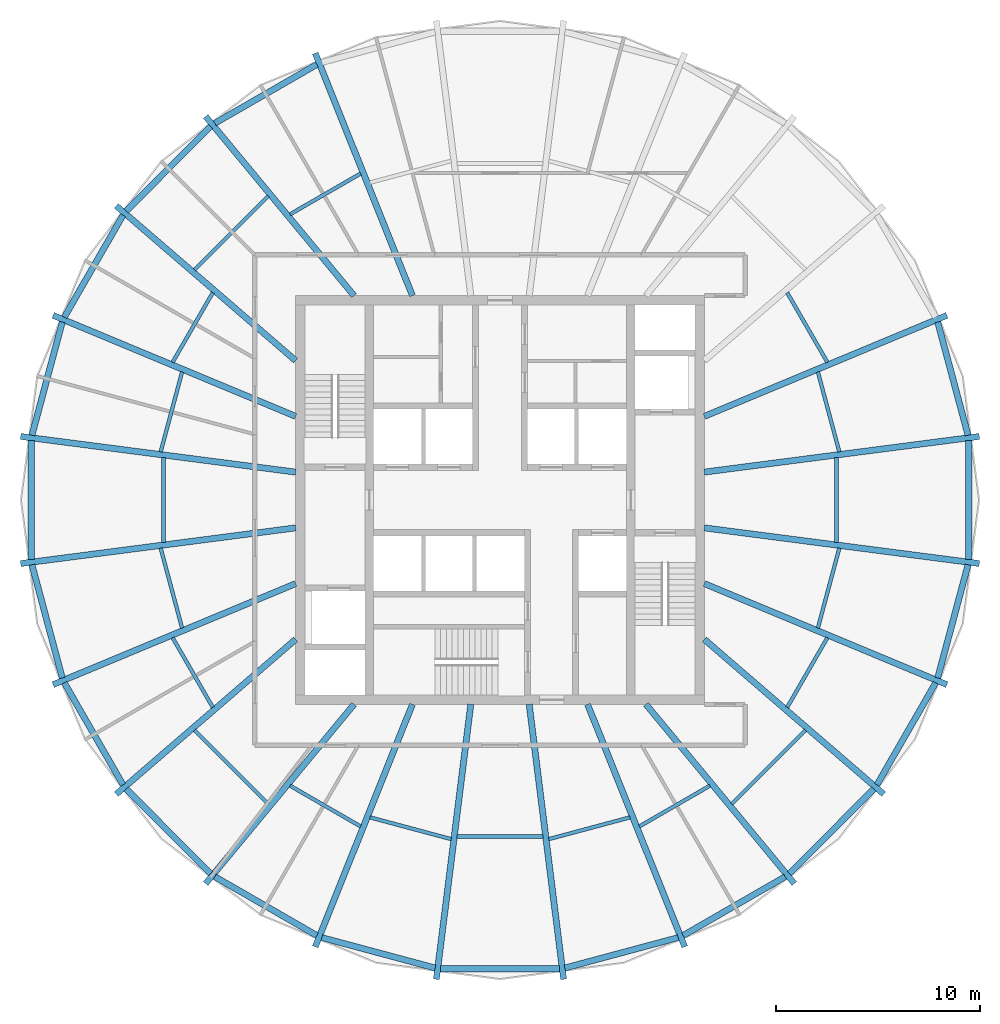
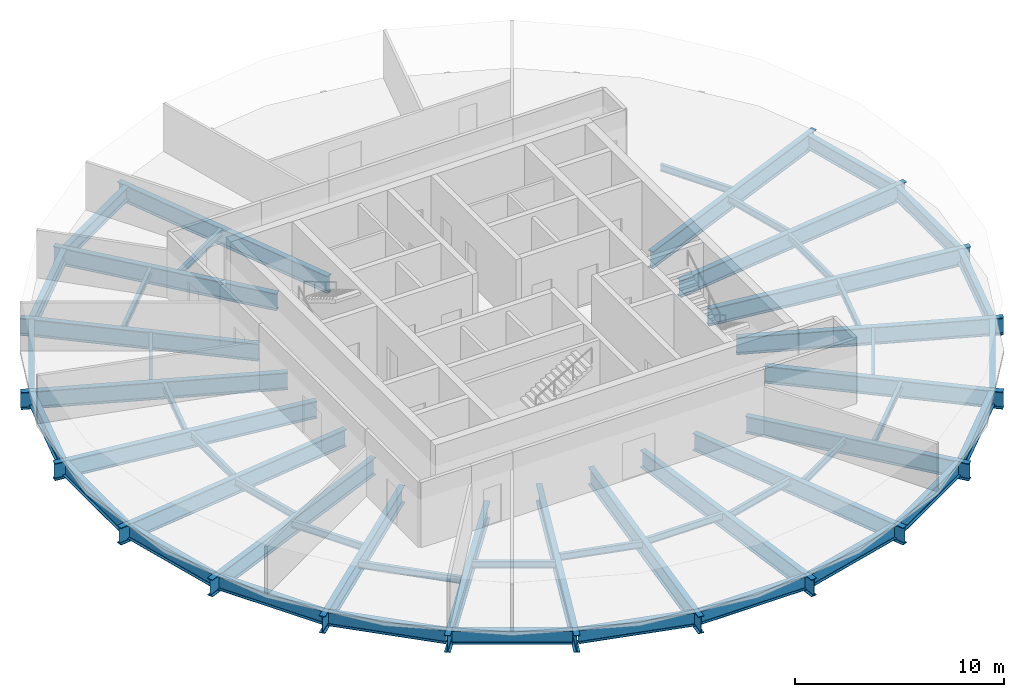
# One storey, part 1 of 5: 56 beams.
"""IFC4 building model written with IfcOpenShell, lengths in metres."""

from ifc_helpers import new_model, si_unit, direction, frame, origin, origin_2d, place, context, subcontext, project, spatial, i_section, extrude, material, material_profile, profile_set, type_object, element, save


model = new_model("IFC4")

# Units and contexts
model_context = context("Model", 3, precision=1e-05, world=origin(), true_north=direction((0.0, 1.0)))
body_context = subcontext(model_context, "Body", "Model", "MODEL_VIEW")
ifc_project = project(units=[si_unit("LENGTHUNIT", "METRE"), si_unit("AREAUNIT", "SQUARE_METRE"), si_unit("VOLUMEUNIT", "CUBIC_METRE"), si_unit("PLANEANGLEUNIT", "RADIAN"), si_unit("MASSUNIT", "GRAM", prefix="KILO")], contexts=[model_context])

# Site, building, storey
site_placement = place(None, origin())
site = spatial("IfcSite", under=ifc_project, at=site_placement, CompositionType="ELEMENT")
building_placement = place(site_placement, origin())
building = spatial("IfcBuilding", under=site, at=building_placement, Name="Golbaran Civic Tower", CompositionType="ELEMENT")
storey_placement = place(building_placement, frame((0.0, 0.0, 207.0)))
storey = spatial("IfcBuildingStorey", under=building, at=storey_placement, Name="L50", CompositionType="ELEMENT", Elevation=207.0)

# Beams
ifc_material = material(Name="Steel S355", Category="steel")
ifc_material_profile_1 = material_profile(ifc_material, i_section(OverallWidth=0.300048828125, OverallDepth=0.800048828125, WebThickness=0.017578125, FlangeThickness=0.032958984375, FilletRadius=0.030029296875, at=origin_2d()), Name="HEB 800")
ifc_profile_set_1 = profile_set([ifc_material_profile_1], Name="Steel S355")
beam_type_1 = type_object("IfcBeamType", Name="EDGE BEAM HEB 800", PredefinedType="BEAM", material=ifc_profile_set_1)
beam_1_placement = place(storey_placement, frame((22.900390625, 3.169189453125, -0.60009765625), z_axis=(-0.258807764913, 0.965928848736, 0.0), x_axis=(-0.965928848736, -0.258807764913, 0.0)))
element("IfcBeam", 1, at=beam_1_placement, inside=storey, type_object=beam_type_1, Name="Edge beam 7.55 L50", PredefinedType="BEAM", context=body_context, shape_type="SweptSolid", body=[
    extrude(i_section(OverallWidth=0.300048828125, OverallDepth=0.800048828125, WebThickness=0.017578125, FlangeThickness=0.032958984375, FilletRadius=0.030029296875, at=origin_2d()), origin(), (0.0, 0.0, 1.0), 5.731689453125),
])
beam_2_placement = place(storey_placement, frame((-8.959228515625, 21.31201171875, -0.60009765625), z_axis=(-0.866332159636, -0.499468306482, 0.0), x_axis=(0.499468306482, -0.866332159636, 0.0)))
element("IfcBeam", 2, at=beam_2_placement, inside=storey, type_object=beam_type_1, Name="Edge beam 112.45 L50", PredefinedType="BEAM", context=body_context, shape_type="SweptSolid", body=[
    extrude(i_section(OverallWidth=0.300048828125, OverallDepth=0.800048828125, WebThickness=0.017578125, FlangeThickness=0.032958984375, FilletRadius=0.030029296875, at=origin_2d()), origin(), (0.0, 0.0, 1.0), 5.766357421875),
])
beam_3_placement = place(storey_placement, frame((-14.161376953125, 18.2734375, -0.60009765625), z_axis=(-0.706772115547, -0.707441288507, 0.0), x_axis=(0.707441288507, -0.706772115547, 0.0)))
element("IfcBeam", 3, at=beam_3_placement, inside=storey, type_object=beam_type_1, Name="Edge beam 127.55 L50", PredefinedType="BEAM", context=body_context, shape_type="SweptSolid", body=[
    extrude(i_section(OverallWidth=0.300048828125, OverallDepth=0.800048828125, WebThickness=0.017578125, FlangeThickness=0.032958984375, FilletRadius=0.030029296875, at=origin_2d()), origin(), (0.0, 0.0, 1.0), 5.83740234375),
])
beam_4_placement = place(storey_placement, frame((-18.4453125, 13.93701171875, -0.60009765625), z_axis=(-0.498780145808, -0.866728542363, 0.0), x_axis=(0.866728542363, -0.498780145808, 0.0)))
element("IfcBeam", 4, at=beam_4_placement, inside=storey, type_object=beam_type_1, Name="Edge beam 142.45 L50", PredefinedType="BEAM", context=body_context, shape_type="SweptSolid", body=[
    extrude(i_section(OverallWidth=0.300048828125, OverallDepth=0.800048828125, WebThickness=0.017578125, FlangeThickness=0.032958984375, FilletRadius=0.030029296875, at=origin_2d()), origin(), (0.0, 0.0, 1.0), 5.7587890625),
])
beam_5_placement = place(storey_placement, frame((-21.4169921875, 8.70556640625, -0.60009765625), z_axis=(-0.258807764913, -0.965928848736, 0.0), x_axis=(0.965928848736, -0.258807764913, 0.0)))
element("IfcBeam", 5, at=beam_5_placement, inside=storey, type_object=beam_type_1, Name="Edge beam 157.55 L50", PredefinedType="BEAM", context=body_context, shape_type="SweptSolid", body=[
    extrude(i_section(OverallWidth=0.300048828125, OverallDepth=0.800048828125, WebThickness=0.017578125, FlangeThickness=0.032958984375, FilletRadius=0.030029296875, at=origin_2d()), origin(), (0.0, 0.0, 1.0), 5.731689453125),
])
beam_6_placement = place(storey_placement, frame((-22.934326171875, 2.91162109375, -0.60009765625), z_axis=(0.0, -1.0, 0.0), x_axis=(1.0, 0.0, 0.0)))
element("IfcBeam", 6, at=beam_6_placement, inside=storey, type_object=beam_type_1, Name="Edge beam 172.45 L50", PredefinedType="BEAM", context=body_context, shape_type="SweptSolid", body=[
    extrude(i_section(OverallWidth=0.300048828125, OverallDepth=0.800048828125, WebThickness=0.017578125, FlangeThickness=0.032958984375, FilletRadius=0.030029296875, at=origin_2d()), origin(), (0.0, 0.0, 1.0), 5.8232421875),
])
beam_7_placement = place(storey_placement, frame((-22.900390625, -3.169189453125, -0.60009765625), z_axis=(0.258807764913, -0.965928848736, 0.0), x_axis=(0.965928848736, 0.258807764913, 0.0)))
element("IfcBeam", 7, at=beam_7_placement, inside=storey, type_object=beam_type_1, Name="Edge beam 187.55 L50", PredefinedType="BEAM", context=body_context, shape_type="SweptSolid", body=[
    extrude(i_section(OverallWidth=0.300048828125, OverallDepth=0.800048828125, WebThickness=0.017578125, FlangeThickness=0.032958984375, FilletRadius=0.030029296875, at=origin_2d()), origin(), (0.0, 0.0, 1.0), 5.731689453125),
])
beam_8_placement = place(storey_placement, frame((-21.317626953125, -8.94580078125, -0.60009765625), z_axis=(0.498780145808, -0.866728542363, 0.0), x_axis=(0.866728542363, 0.498780145808, 0.0)))
element("IfcBeam", 8, at=beam_8_placement, inside=storey, type_object=beam_type_1, Name="Edge beam 202.45 L50", PredefinedType="BEAM", context=body_context, shape_type="SweptSolid", body=[
    extrude(i_section(OverallWidth=0.300048828125, OverallDepth=0.800048828125, WebThickness=0.017578125, FlangeThickness=0.032958984375, FilletRadius=0.030029296875, at=origin_2d()), origin(), (0.0, 0.0, 1.0), 5.7587890625),
])
beam_9_placement = place(storey_placement, frame((-18.287109375, -14.143798828125, -0.60009765625), z_axis=(0.706772115547, -0.707441288507, 0.0), x_axis=(0.707441288507, 0.706772115547, 0.0)))
element("IfcBeam", 9, at=beam_9_placement, inside=storey, type_object=beam_type_1, Name="Edge beam 217.55 L50", PredefinedType="BEAM", context=body_context, shape_type="SweptSolid", body=[
    extrude(i_section(OverallWidth=0.300048828125, OverallDepth=0.800048828125, WebThickness=0.017578125, FlangeThickness=0.032958984375, FilletRadius=0.030029296875, at=origin_2d()), origin(), (0.0, 0.0, 1.0), 5.83740234375),
])
beam_10_placement = place(storey_placement, frame((-13.954833984375, -18.431884765625, -0.60009765625), z_axis=(0.866332159636, -0.499468306482, 0.0), x_axis=(0.499468306482, 0.866332159636, 0.0)))
element("IfcBeam", 10, at=beam_10_placement, inside=storey, type_object=beam_type_1, Name="Edge beam 232.45 L50", PredefinedType="BEAM", context=body_context, shape_type="SweptSolid", body=[
    extrude(i_section(OverallWidth=0.300048828125, OverallDepth=0.800048828125, WebThickness=0.017578125, FlangeThickness=0.032958984375, FilletRadius=0.030029296875, at=origin_2d()), origin(), (0.0, 0.0, 1.0), 5.766357421875),
])
beam_11_placement = place(storey_placement, frame((-8.718994140625, -21.41162109375, -0.60009765625), z_axis=(0.965815835324, -0.259229188629, 0.0), x_axis=(0.259229188629, 0.965815835324, 0.0)))
element("IfcBeam", 11, at=beam_11_placement, inside=storey, type_object=beam_type_1, Name="Edge beam 247.55 L50", PredefinedType="BEAM", context=body_context, shape_type="SweptSolid", body=[
    extrude(i_section(OverallWidth=0.300048828125, OverallDepth=0.800048828125, WebThickness=0.017578125, FlangeThickness=0.032958984375, FilletRadius=0.030029296875, at=origin_2d()), origin(), (0.0, 0.0, 1.0), 5.7412109375),
])
beam_12_placement = place(storey_placement, frame((-2.91650390625, -22.933837890625, -0.60009765625), z_axis=(1.0, 0.0, 0.0), x_axis=(0.0, 1.0, 0.0)))
element("IfcBeam", 12, at=beam_12_placement, inside=storey, type_object=beam_type_1, Name="Edge beam 262.45 L50", PredefinedType="BEAM", context=body_context, shape_type="SweptSolid", body=[
    extrude(i_section(OverallWidth=0.300048828125, OverallDepth=0.800048828125, WebThickness=0.017578125, FlangeThickness=0.032958984375, FilletRadius=0.030029296875, at=origin_2d()), origin(), (0.0, 0.0, 1.0), 5.8330078125),
])
beam_13_placement = place(storey_placement, frame((3.174072265625, -22.89990234375, -0.60009765625), z_axis=(0.965815835324, 0.259229188629, 0.0), x_axis=(-0.259229188629, 0.965815835324, 0.0)))
element("IfcBeam", 13, at=beam_13_placement, inside=storey, type_object=beam_type_1, Name="Edge beam 277.55 L50", PredefinedType="BEAM", context=body_context, shape_type="SweptSolid", body=[
    extrude(i_section(OverallWidth=0.300048828125, OverallDepth=0.800048828125, WebThickness=0.017578125, FlangeThickness=0.032958984375, FilletRadius=0.030029296875, at=origin_2d()), origin(), (0.0, 0.0, 1.0), 5.7412109375),
])
beam_14_placement = place(storey_placement, frame((8.959228515625, -21.31201171875, -0.60009765625), z_axis=(0.866332159636, 0.499468306482, 0.0), x_axis=(-0.499468306482, 0.866332159636, 0.0)))
element("IfcBeam", 14, at=beam_14_placement, inside=storey, type_object=beam_type_1, Name="Edge beam 292.45 L50", PredefinedType="BEAM", context=body_context, shape_type="SweptSolid", body=[
    extrude(i_section(OverallWidth=0.300048828125, OverallDepth=0.800048828125, WebThickness=0.017578125, FlangeThickness=0.032958984375, FilletRadius=0.030029296875, at=origin_2d()), origin(), (0.0, 0.0, 1.0), 5.766357421875),
])
beam_15_placement = place(storey_placement, frame((14.161376953125, -18.2734375, -0.60009765625), z_axis=(0.706772115547, 0.707441288507, 0.0), x_axis=(-0.707441288507, 0.706772115547, 0.0)))
element("IfcBeam", 15, at=beam_15_placement, inside=storey, type_object=beam_type_1, Name="Edge beam 307.55 L50", PredefinedType="BEAM", context=body_context, shape_type="SweptSolid", body=[
    extrude(i_section(OverallWidth=0.300048828125, OverallDepth=0.800048828125, WebThickness=0.017578125, FlangeThickness=0.032958984375, FilletRadius=0.030029296875, at=origin_2d()), origin(), (0.0, 0.0, 1.0), 5.83740234375),
])
beam_16_placement = place(storey_placement, frame((18.4453125, -13.93701171875, -0.60009765625), z_axis=(0.498780145808, 0.866728542363, 0.0), x_axis=(-0.866728542363, 0.498780145808, 0.0)))
element("IfcBeam", 16, at=beam_16_placement, inside=storey, type_object=beam_type_1, Name="Edge beam 322.45 L50", PredefinedType="BEAM", context=body_context, shape_type="SweptSolid", body=[
    extrude(i_section(OverallWidth=0.300048828125, OverallDepth=0.800048828125, WebThickness=0.017578125, FlangeThickness=0.032958984375, FilletRadius=0.030029296875, at=origin_2d()), origin(), (0.0, 0.0, 1.0), 5.7587890625),
])
beam_17_placement = place(storey_placement, frame((21.4169921875, -8.70556640625, -0.60009765625), z_axis=(0.258807764913, 0.965928848736, 0.0), x_axis=(-0.965928848736, 0.258807764913, 0.0)))
element("IfcBeam", 17, at=beam_17_placement, inside=storey, type_object=beam_type_1, Name="Edge beam 337.55 L50", PredefinedType="BEAM", context=body_context, shape_type="SweptSolid", body=[
    extrude(i_section(OverallWidth=0.300048828125, OverallDepth=0.800048828125, WebThickness=0.017578125, FlangeThickness=0.032958984375, FilletRadius=0.030029296875, at=origin_2d()), origin(), (0.0, 0.0, 1.0), 5.731689453125),
])
beam_18_placement = place(storey_placement, frame((22.934326171875, -2.91162109375, -0.60009765625), z_axis=(0.0, 1.0, 0.0), x_axis=(-1.0, 0.0, 0.0)))
element("IfcBeam", 18, at=beam_18_placement, inside=storey, type_object=beam_type_1, Name="Edge beam 352.45 L50", PredefinedType="BEAM", context=body_context, shape_type="SweptSolid", body=[
    extrude(i_section(OverallWidth=0.300048828125, OverallDepth=0.800048828125, WebThickness=0.017578125, FlangeThickness=0.032958984375, FilletRadius=0.030029296875, at=origin_2d()), origin(), (0.0, 0.0, 1.0), 5.8232421875),
])
ifc_material_profile_2 = material_profile(ifc_material, i_section(OverallWidth=0.179931640625, OverallDepth=0.39990234375, WebThickness=0.008544921875, FlangeThickness=0.013427734375, FilletRadius=0.02099609375, at=origin_2d()), Name="IPE 400")
ifc_profile_set_2 = profile_set([ifc_material_profile_2], Name="Steel S355")
beam_type_2 = type_object("IfcBeamType", Name="FLOOR INFILL BEAM IPE 400", PredefinedType="BEAM", material=ifc_profile_set_2)
beam_19_placement = place(storey_placement, frame((16.603515625, 2.352294921875, -0.39990234375), z_axis=(-0.258810398506, 0.965928143096, 0.0), x_axis=(-0.965928143096, -0.258810398506, 0.0)))
element("IfcBeam", 19, at=beam_19_placement, inside=storey, type_object=beam_type_2, Name="Infill beam 15.00 L50", PredefinedType="BEAM", context=body_context, shape_type="SweptSolid", body=[
    extrude(i_section(OverallWidth=0.179931640625, OverallDepth=0.39990234375, WebThickness=0.008544921875, FlangeThickness=0.013427734375, FilletRadius=0.02099609375, at=origin_2d()), origin(), (0.0, 0.0, 1.0), 4.050537109375),
])
beam_20_placement = place(storey_placement, frame((16.01904296875, 6.73974609375, -0.39990234375), z_axis=(-0.500010785354, 0.866019176768, 0.0), x_axis=(-0.866019176768, -0.500010785354, 0.0)))
element("IfcBeam", 20, at=beam_20_placement, inside=storey, type_object=beam_type_2, Name="Infill beam 30.00 L50", PredefinedType="BEAM", context=body_context, shape_type="SweptSolid", body=[
    extrude(i_section(OverallWidth=0.179931640625, OverallDepth=0.39990234375, WebThickness=0.008544921875, FlangeThickness=0.013427734375, FilletRadius=0.02099609375, at=origin_2d()), origin(), (0.0, 0.0, 1.0), 3.93359375),
])
beam_21_placement = place(storey_placement, frame((-6.819580078125, 15.97265625, -0.39990234375), z_axis=(-0.86602842894, -0.499994760241, 0.0), x_axis=(0.499994760241, -0.86602842894, 0.0)))
element("IfcBeam", 21, at=beam_21_placement, inside=storey, type_object=beam_type_2, Name="Infill beam 120.00 L50", PredefinedType="BEAM", context=body_context, shape_type="SweptSolid", body=[
    extrude(i_section(OverallWidth=0.179931640625, OverallDepth=0.39990234375, WebThickness=0.008544921875, FlangeThickness=0.013427734375, FilletRadius=0.02099609375, at=origin_2d()), origin(), (0.0, 0.0, 1.0), 3.98388671875),
])
beam_22_placement = place(storey_placement, frame((-11.344970703125, 14.87158203125, -0.39990234375), z_axis=(-0.707106781187, -0.707106781187, 0.0), x_axis=(0.707106781187, -0.707106781187, 0.0)))
element("IfcBeam", 22, at=beam_22_placement, inside=storey, type_object=beam_type_2, Name="Infill beam 135.00 L50", PredefinedType="BEAM", context=body_context, shape_type="SweptSolid", body=[
    extrude(i_section(OverallWidth=0.179931640625, OverallDepth=0.39990234375, WebThickness=0.008544921875, FlangeThickness=0.013427734375, FilletRadius=0.02099609375, at=origin_2d()), origin(), (0.0, 0.0, 1.0), 5.099853515625),
])
beam_23_placement = place(storey_placement, frame((-14.05224609375, 10.146240234375, -0.39990234375), z_axis=(-0.500010785354, -0.866019176768, 0.0), x_axis=(0.866019176768, -0.500010785354, 0.0)))
element("IfcBeam", 23, at=beam_23_placement, inside=storey, type_object=beam_type_2, Name="Infill beam 150.00 L50", PredefinedType="BEAM", context=body_context, shape_type="SweptSolid", body=[
    extrude(i_section(OverallWidth=0.179931640625, OverallDepth=0.39990234375, WebThickness=0.008544921875, FlangeThickness=0.013427734375, FilletRadius=0.02099609375, at=origin_2d()), origin(), (0.0, 0.0, 1.0), 3.93359375),
])
beam_24_placement = place(storey_placement, frame((-15.55517578125, 6.264892578125, -0.39990234375), z_axis=(-0.258810398506, -0.965928143096, 0.0), x_axis=(0.965928143096, -0.258810398506, 0.0)))
element("IfcBeam", 24, at=beam_24_placement, inside=storey, type_object=beam_type_2, Name="Infill beam 165.00 L50", PredefinedType="BEAM", context=body_context, shape_type="SweptSolid", body=[
    extrude(i_section(OverallWidth=0.179931640625, OverallDepth=0.39990234375, WebThickness=0.008544921875, FlangeThickness=0.013427734375, FilletRadius=0.02099609375, at=origin_2d()), origin(), (0.0, 0.0, 1.0), 4.050537109375),
])
beam_25_placement = place(storey_placement, frame((-16.46728515625, 2.072265625, -0.39990234375), z_axis=(0.0, -1.0, 0.0), x_axis=(1.0, 0.0, 0.0)))
element("IfcBeam", 25, at=beam_25_placement, inside=storey, type_object=beam_type_2, Name="Infill beam 180.00 L50", PredefinedType="BEAM", context=body_context, shape_type="SweptSolid", body=[
    extrude(i_section(OverallWidth=0.179931640625, OverallDepth=0.39990234375, WebThickness=0.008544921875, FlangeThickness=0.013427734375, FilletRadius=0.02099609375, at=origin_2d()), origin(), (0.0, 0.0, 1.0), 4.14453125),
])
beam_26_placement = place(storey_placement, frame((-16.603515625, -2.352294921875, -0.39990234375), z_axis=(0.258810398506, -0.965928143096, 0.0), x_axis=(0.965928143096, 0.258810398506, 0.0)))
element("IfcBeam", 26, at=beam_26_placement, inside=storey, type_object=beam_type_2, Name="Infill beam 195.00 L50", PredefinedType="BEAM", context=body_context, shape_type="SweptSolid", body=[
    extrude(i_section(OverallWidth=0.179931640625, OverallDepth=0.39990234375, WebThickness=0.008544921875, FlangeThickness=0.013427734375, FilletRadius=0.02099609375, at=origin_2d()), origin(), (0.0, 0.0, 1.0), 4.050537109375),
])
beam_27_placement = place(storey_placement, frame((-16.01904296875, -6.73974609375, -0.39990234375), z_axis=(0.500010785354, -0.866019176768, 0.0), x_axis=(0.866019176768, 0.500010785354, 0.0)))
element("IfcBeam", 27, at=beam_27_placement, inside=storey, type_object=beam_type_2, Name="Infill beam 210.00 L50", PredefinedType="BEAM", context=body_context, shape_type="SweptSolid", body=[
    extrude(i_section(OverallWidth=0.179931640625, OverallDepth=0.39990234375, WebThickness=0.008544921875, FlangeThickness=0.013427734375, FilletRadius=0.02099609375, at=origin_2d()), origin(), (0.0, 0.0, 1.0), 3.93359375),
])
beam_28_placement = place(storey_placement, frame((-14.951171875, -11.265380859375, -0.39990234375), z_axis=(0.707106781187, -0.707106781187, 0.0), x_axis=(0.707106781187, 0.707106781187, 0.0)))
element("IfcBeam", 28, at=beam_28_placement, inside=storey, type_object=beam_type_2, Name="Infill beam 225.00 L50", PredefinedType="BEAM", context=body_context, shape_type="SweptSolid", body=[
    extrude(i_section(OverallWidth=0.179931640625, OverallDepth=0.39990234375, WebThickness=0.008544921875, FlangeThickness=0.013427734375, FilletRadius=0.02099609375, at=origin_2d()), origin(), (0.0, 0.0, 1.0), 5.099853515625),
])
beam_29_placement = place(storey_placement, frame((-10.269775390625, -13.980712890625, -0.39990234375), z_axis=(0.86602842894, -0.499994760241, 0.0), x_axis=(0.499994760241, 0.86602842894, 0.0)))
element("IfcBeam", 29, at=beam_29_placement, inside=storey, type_object=beam_type_2, Name="Infill beam 240.00 L50", PredefinedType="BEAM", context=body_context, shape_type="SweptSolid", body=[
    extrude(i_section(OverallWidth=0.179931640625, OverallDepth=0.39990234375, WebThickness=0.008544921875, FlangeThickness=0.013427734375, FilletRadius=0.02099609375, at=origin_2d()), origin(), (0.0, 0.0, 1.0), 3.98388671875),
])
beam_30_placement = place(storey_placement, frame((-6.361572265625, -15.529052734375, -0.39990234375), z_axis=(0.965931110693, -0.258799322634, 0.0), x_axis=(0.258799322634, 0.965931110693, 0.0)))
element("IfcBeam", 30, at=beam_30_placement, inside=storey, type_object=beam_type_2, Name="Infill beam 255.00 L50", PredefinedType="BEAM", context=body_context, shape_type="SweptSolid", body=[
    extrude(i_section(OverallWidth=0.179931640625, OverallDepth=0.39990234375, WebThickness=0.008544921875, FlangeThickness=0.013427734375, FilletRadius=0.02099609375, at=origin_2d()), origin(), (0.0, 0.0, 1.0), 4.11669921875),
])
beam_31_placement = place(storey_placement, frame((-2.10693359375, -16.466796875, -0.39990234375), z_axis=(1.0, 0.0, 0.0), x_axis=(0.0, 1.0, 0.0)))
element("IfcBeam", 31, at=beam_31_placement, inside=storey, type_object=beam_type_2, Name="Infill beam 270.00 L50", PredefinedType="BEAM", context=body_context, shape_type="SweptSolid", body=[
    extrude(i_section(OverallWidth=0.179931640625, OverallDepth=0.39990234375, WebThickness=0.008544921875, FlangeThickness=0.013427734375, FilletRadius=0.02099609375, at=origin_2d()), origin(), (0.0, 0.0, 1.0), 4.2138671875),
])
beam_32_placement = place(storey_placement, frame((2.385009765625, -16.594482421875, -0.39990234375), z_axis=(0.965931110693, 0.258799322634, 0.0), x_axis=(-0.258799322634, 0.965931110693, 0.0)))
element("IfcBeam", 32, at=beam_32_placement, inside=storey, type_object=beam_type_2, Name="Infill beam 285.00 L50", PredefinedType="BEAM", context=body_context, shape_type="SweptSolid", body=[
    extrude(i_section(OverallWidth=0.179931640625, OverallDepth=0.39990234375, WebThickness=0.008544921875, FlangeThickness=0.013427734375, FilletRadius=0.02099609375, at=origin_2d()), origin(), (0.0, 0.0, 1.0), 4.11669921875),
])
beam_33_placement = place(storey_placement, frame((6.819580078125, -15.97265625, -0.39990234375), z_axis=(0.86602842894, 0.499994760241, 0.0), x_axis=(-0.499994760241, 0.86602842894, 0.0)))
element("IfcBeam", 33, at=beam_33_placement, inside=storey, type_object=beam_type_2, Name="Infill beam 300.00 L50", PredefinedType="BEAM", context=body_context, shape_type="SweptSolid", body=[
    extrude(i_section(OverallWidth=0.179931640625, OverallDepth=0.39990234375, WebThickness=0.008544921875, FlangeThickness=0.013427734375, FilletRadius=0.02099609375, at=origin_2d()), origin(), (0.0, 0.0, 1.0), 3.98388671875),
])
beam_34_placement = place(storey_placement, frame((11.344970703125, -14.87158203125, -0.39990234375), z_axis=(0.707106781187, 0.707106781187, 0.0), x_axis=(-0.707106781187, 0.707106781187, 0.0)))
element("IfcBeam", 34, at=beam_34_placement, inside=storey, type_object=beam_type_2, Name="Infill beam 315.00 L50", PredefinedType="BEAM", context=body_context, shape_type="SweptSolid", body=[
    extrude(i_section(OverallWidth=0.179931640625, OverallDepth=0.39990234375, WebThickness=0.008544921875, FlangeThickness=0.013427734375, FilletRadius=0.02099609375, at=origin_2d()), origin(), (0.0, 0.0, 1.0), 5.099853515625),
])
beam_35_placement = place(storey_placement, frame((14.05224609375, -10.146240234375, -0.39990234375), z_axis=(0.500010785354, 0.866019176768, 0.0), x_axis=(-0.866019176768, 0.500010785354, 0.0)))
element("IfcBeam", 35, at=beam_35_placement, inside=storey, type_object=beam_type_2, Name="Infill beam 330.00 L50", PredefinedType="BEAM", context=body_context, shape_type="SweptSolid", body=[
    extrude(i_section(OverallWidth=0.179931640625, OverallDepth=0.39990234375, WebThickness=0.008544921875, FlangeThickness=0.013427734375, FilletRadius=0.02099609375, at=origin_2d()), origin(), (0.0, 0.0, 1.0), 3.93359375),
])
beam_36_placement = place(storey_placement, frame((15.55517578125, -6.264892578125, -0.39990234375), z_axis=(0.258810398506, 0.965928143096, 0.0), x_axis=(-0.965928143096, 0.258810398506, 0.0)))
element("IfcBeam", 36, at=beam_36_placement, inside=storey, type_object=beam_type_2, Name="Infill beam 345.00 L50", PredefinedType="BEAM", context=body_context, shape_type="SweptSolid", body=[
    extrude(i_section(OverallWidth=0.179931640625, OverallDepth=0.39990234375, WebThickness=0.008544921875, FlangeThickness=0.013427734375, FilletRadius=0.02099609375, at=origin_2d()), origin(), (0.0, 0.0, 1.0), 4.050537109375),
])
beam_37_placement = place(storey_placement, frame((16.46728515625, -2.072265625, -0.39990234375), z_axis=(0.0, 1.0, 0.0), x_axis=(-1.0, 0.0, 0.0)))
element("IfcBeam", 37, at=beam_37_placement, inside=storey, type_object=beam_type_2, Name="Infill beam 0.00 L50", PredefinedType="BEAM", context=body_context, shape_type="SweptSolid", body=[
    extrude(i_section(OverallWidth=0.179931640625, OverallDepth=0.39990234375, WebThickness=0.008544921875, FlangeThickness=0.013427734375, FilletRadius=0.02099609375, at=origin_2d()), origin(), (0.0, 0.0, 1.0), 4.14453125),
])
ifc_material_profile_3 = material_profile(ifc_material, i_section(OverallWidth=0.300048828125, OverallDepth=1.0, WebThickness=0.01904296875, FlangeThickness=0.035888671875, FilletRadius=0.030029296875, at=origin_2d()), Name="HEB 1000")
ifc_profile_set_3 = profile_set([ifc_material_profile_3], Name="Steel S355")
beam_type_3 = type_object("IfcBeamType", Name="RADIAL FLOOR BEAM HEB 1000", PredefinedType="BEAM", material=ifc_profile_set_3)
beam_38_placement = place(storey_placement, frame((10.0, 1.3642578125, -0.7099609375), z_axis=(0.991685501643, 0.128685142228, 0.0), x_axis=(-0.128685142228, 0.991685501643, 0.0)))
element("IfcBeam", 38, at=beam_38_placement, inside=storey, type_object=beam_type_3, Name="Radial beam 7.55 L50", PredefinedType="BEAM", context=body_context, shape_type="SweptSolid", body=[
    extrude(i_section(OverallWidth=0.300048828125, OverallDepth=1.0, WebThickness=0.01904296875, FlangeThickness=0.035888671875, FilletRadius=0.030029296875, at=origin_2d()), origin(), (0.0, 0.0, 1.0), 13.56494140625),
])
beam_39_placement = place(storey_placement, frame((10.0, 4.0927734375, -0.7099609375), z_axis=(0.923175243758, 0.384379329975, 0.0), x_axis=(-0.384379329975, 0.923175243758, 0.0)))
element("IfcBeam", 39, at=beam_39_placement, inside=storey, type_object=beam_type_3, Name="Radial beam 22.45 L50", PredefinedType="BEAM", context=body_context, shape_type="SweptSolid", body=[
    extrude(i_section(OverallWidth=0.300048828125, OverallDepth=1.0, WebThickness=0.01904296875, FlangeThickness=0.035888671875, FilletRadius=0.030029296875, at=origin_2d()), origin(), (0.0, 0.0, 1.0), 12.852294921875),
])
beam_40_placement = place(storey_placement, frame((-4.28564453125, 10.0, -0.7099609375), z_axis=(-0.372009854763, 0.928228779967, 0.0), x_axis=(-0.928228779967, -0.372009854763, 0.0)))
element("IfcBeam", 40, at=beam_40_placement, inside=storey, type_object=beam_type_3, Name="Radial beam 112.45 L50", PredefinedType="BEAM", context=body_context, shape_type="SweptSolid", body=[
    extrude(i_section(OverallWidth=0.300048828125, OverallDepth=1.0, WebThickness=0.01904296875, FlangeThickness=0.035888671875, FilletRadius=0.030029296875, at=origin_2d()), origin(), (0.0, 0.0, 1.0), 12.779052734375),
])
beam_41_placement = place(storey_placement, frame((-7.142822265625, 10.0, -0.7099609375), z_axis=(-0.637716950888, 0.770270790404, 0.0), x_axis=(-0.770270790404, -0.637716950888, 0.0)))
element("IfcBeam", 41, at=beam_41_placement, inside=storey, type_object=beam_type_3, Name="Radial beam 127.55 L50", PredefinedType="BEAM", context=body_context, shape_type="SweptSolid", body=[
    extrude(i_section(OverallWidth=0.300048828125, OverallDepth=1.0, WebThickness=0.01904296875, FlangeThickness=0.035888671875, FilletRadius=0.030029296875, at=origin_2d()), origin(), (0.0, 0.0, 1.0), 11.382568359375),
])
beam_42_placement = place(storey_placement, frame((-10.0, 6.821533203125, -0.7099609375), z_axis=(-0.757108101496, 0.653289616211, 0.0), x_axis=(-0.653289616211, -0.757108101496, 0.0)))
element("IfcBeam", 42, at=beam_42_placement, inside=storey, type_object=beam_type_3, Name="Radial beam 142.45 L50", PredefinedType="BEAM", context=body_context, shape_type="SweptSolid", body=[
    extrude(i_section(OverallWidth=0.300048828125, OverallDepth=1.0, WebThickness=0.01904296875, FlangeThickness=0.035888671875, FilletRadius=0.030029296875, at=origin_2d()), origin(), (0.0, 0.0, 1.0), 11.588623046875),
])
beam_43_placement = place(storey_placement, frame((-10.0, 4.0927734375, -0.7099609375), z_axis=(-0.923175243758, 0.384379329975, 0.0), x_axis=(-0.384379329975, -0.923175243758, 0.0)))
element("IfcBeam", 43, at=beam_43_placement, inside=storey, type_object=beam_type_3, Name="Radial beam 157.55 L50", PredefinedType="BEAM", context=body_context, shape_type="SweptSolid", body=[
    extrude(i_section(OverallWidth=0.300048828125, OverallDepth=1.0, WebThickness=0.01904296875, FlangeThickness=0.035888671875, FilletRadius=0.030029296875, at=origin_2d()), origin(), (0.0, 0.0, 1.0), 12.852294921875),
])
for number, where, z_axis, x_axis, name in (
    (44, (-10.0, 1.3642578125, -0.7099609375), (-0.991685501643, 0.128685142228, 0.0), (-0.128685142228, -0.991685501643, 0.0), "Radial beam 172.45 L50"),
    (45, (-10.0, -1.3642578125, -0.7099609375), (-0.991685501643, -0.128685142228, 0.0), (0.128685142228, -0.991685501643, 0.0), "Radial beam 187.55 L50"),
):
    element("IfcBeam", number, at=place(storey_placement, frame(where, z_axis=z_axis, x_axis=x_axis)), inside=storey, type_object=beam_type_3, Name=name, PredefinedType="BEAM", context=body_context, shape_type="SweptSolid", body=[
        extrude(i_section(OverallWidth=0.300048828125, OverallDepth=1.0, WebThickness=0.01904296875, FlangeThickness=0.035888671875, FilletRadius=0.030029296875, at=origin_2d()), origin(), (0.0, 0.0, 1.0), 13.56494140625),
    ])
beam_44_placement = place(storey_placement, frame((-10.0, -4.0927734375, -0.7099609375), z_axis=(-0.923175243758, -0.384379329975, 0.0), x_axis=(0.384379329975, -0.923175243758, 0.0)))
element("IfcBeam", 46, at=beam_44_placement, inside=storey, type_object=beam_type_3, Name="Radial beam 202.45 L50", PredefinedType="BEAM", context=body_context, shape_type="SweptSolid", body=[
    extrude(i_section(OverallWidth=0.300048828125, OverallDepth=1.0, WebThickness=0.01904296875, FlangeThickness=0.035888671875, FilletRadius=0.030029296875, at=origin_2d()), origin(), (0.0, 0.0, 1.0), 12.852294921875),
])
beam_45_placement = place(storey_placement, frame((-10.0, -6.821533203125, -0.7099609375), z_axis=(-0.757108101496, -0.653289616211, 0.0), x_axis=(0.653289616211, -0.757108101496, 0.0)))
element("IfcBeam", 47, at=beam_45_placement, inside=storey, type_object=beam_type_3, Name="Radial beam 217.55 L50", PredefinedType="BEAM", context=body_context, shape_type="SweptSolid", body=[
    extrude(i_section(OverallWidth=0.300048828125, OverallDepth=1.0, WebThickness=0.01904296875, FlangeThickness=0.035888671875, FilletRadius=0.030029296875, at=origin_2d()), origin(), (0.0, 0.0, 1.0), 11.588623046875),
])
beam_46_placement = place(storey_placement, frame((-7.142822265625, -10.0, -0.7099609375), z_axis=(-0.637716950888, -0.770270790404, 0.0), x_axis=(0.770270790404, -0.637716950888, 0.0)))
element("IfcBeam", 48, at=beam_46_placement, inside=storey, type_object=beam_type_3, Name="Radial beam 232.45 L50", PredefinedType="BEAM", context=body_context, shape_type="SweptSolid", body=[
    extrude(i_section(OverallWidth=0.300048828125, OverallDepth=1.0, WebThickness=0.01904296875, FlangeThickness=0.035888671875, FilletRadius=0.030029296875, at=origin_2d()), origin(), (0.0, 0.0, 1.0), 11.382568359375),
])
beam_47_placement = place(storey_placement, frame((-4.28564453125, -10.0, -0.7099609375), z_axis=(-0.372009854763, -0.928228779967, 0.0), x_axis=(0.928228779967, -0.372009854763, 0.0)))
element("IfcBeam", 49, at=beam_47_placement, inside=storey, type_object=beam_type_3, Name="Radial beam 247.55 L50", PredefinedType="BEAM", context=body_context, shape_type="SweptSolid", body=[
    extrude(i_section(OverallWidth=0.300048828125, OverallDepth=1.0, WebThickness=0.01904296875, FlangeThickness=0.035888671875, FilletRadius=0.030029296875, at=origin_2d()), origin(), (0.0, 0.0, 1.0), 12.779052734375),
])
for number, where, z_axis, x_axis, name in (
    (50, (-1.428466796875, -10.0, -0.7099609375), (-0.124205398988, -0.992256528758, 0.0), (0.992256528758, -0.124205398988, 0.0), "Radial beam 262.45 L50"),
    (51, (1.428466796875, -10.0, -0.7099609375), (0.124205398988, -0.992256528758, 0.0), (0.992256528758, 0.124205398988, 0.0), "Radial beam 277.55 L50"),
):
    element("IfcBeam", number, at=place(storey_placement, frame(where, z_axis=z_axis, x_axis=x_axis)), inside=storey, type_object=beam_type_3, Name=name, PredefinedType="BEAM", context=body_context, shape_type="SweptSolid", body=[
        extrude(i_section(OverallWidth=0.300048828125, OverallDepth=1.0, WebThickness=0.01904296875, FlangeThickness=0.035888671875, FilletRadius=0.030029296875, at=origin_2d()), origin(), (0.0, 0.0, 1.0), 13.556884765625),
    ])
beam_48_placement = place(storey_placement, frame((4.28564453125, -10.0, -0.7099609375), z_axis=(0.372009854763, -0.928228779967, 0.0), x_axis=(0.928228779967, 0.372009854763, 0.0)))
element("IfcBeam", 52, at=beam_48_placement, inside=storey, type_object=beam_type_3, Name="Radial beam 292.45 L50", PredefinedType="BEAM", context=body_context, shape_type="SweptSolid", body=[
    extrude(i_section(OverallWidth=0.300048828125, OverallDepth=1.0, WebThickness=0.01904296875, FlangeThickness=0.035888671875, FilletRadius=0.030029296875, at=origin_2d()), origin(), (0.0, 0.0, 1.0), 12.779052734375),
])
beam_49_placement = place(storey_placement, frame((7.142822265625, -10.0, -0.7099609375), z_axis=(0.637716950888, -0.770270790404, 0.0), x_axis=(0.770270790404, 0.637716950888, 0.0)))
element("IfcBeam", 53, at=beam_49_placement, inside=storey, type_object=beam_type_3, Name="Radial beam 307.55 L50", PredefinedType="BEAM", context=body_context, shape_type="SweptSolid", body=[
    extrude(i_section(OverallWidth=0.300048828125, OverallDepth=1.0, WebThickness=0.01904296875, FlangeThickness=0.035888671875, FilletRadius=0.030029296875, at=origin_2d()), origin(), (0.0, 0.0, 1.0), 11.382568359375),
])
beam_50_placement = place(storey_placement, frame((10.0, -6.821533203125, -0.7099609375), z_axis=(0.757108101496, -0.653289616211, 0.0), x_axis=(0.653289616211, 0.757108101496, 0.0)))
element("IfcBeam", 54, at=beam_50_placement, inside=storey, type_object=beam_type_3, Name="Radial beam 322.45 L50", PredefinedType="BEAM", context=body_context, shape_type="SweptSolid", body=[
    extrude(i_section(OverallWidth=0.300048828125, OverallDepth=1.0, WebThickness=0.01904296875, FlangeThickness=0.035888671875, FilletRadius=0.030029296875, at=origin_2d()), origin(), (0.0, 0.0, 1.0), 11.588623046875),
])
beam_51_placement = place(storey_placement, frame((10.0, -4.0927734375, -0.7099609375), z_axis=(0.923175243758, -0.384379329975, 0.0), x_axis=(0.384379329975, 0.923175243758, 0.0)))
element("IfcBeam", 55, at=beam_51_placement, inside=storey, type_object=beam_type_3, Name="Radial beam 337.55 L50", PredefinedType="BEAM", context=body_context, shape_type="SweptSolid", body=[
    extrude(i_section(OverallWidth=0.300048828125, OverallDepth=1.0, WebThickness=0.01904296875, FlangeThickness=0.035888671875, FilletRadius=0.030029296875, at=origin_2d()), origin(), (0.0, 0.0, 1.0), 12.852294921875),
])
beam_52_placement = place(storey_placement, frame((10.0, -1.3642578125, -0.7099609375), z_axis=(0.991685501643, -0.128685142228, 0.0), x_axis=(0.128685142228, 0.991685501643, 0.0)))
element("IfcBeam", 56, at=beam_52_placement, inside=storey, type_object=beam_type_3, Name="Radial beam 352.45 L50", PredefinedType="BEAM", context=body_context, shape_type="SweptSolid", body=[
    extrude(i_section(OverallWidth=0.300048828125, OverallDepth=1.0, WebThickness=0.01904296875, FlangeThickness=0.035888671875, FilletRadius=0.030029296875, at=origin_2d()), origin(), (0.0, 0.0, 1.0), 13.56494140625),
])

save(model, "model.ifc")
